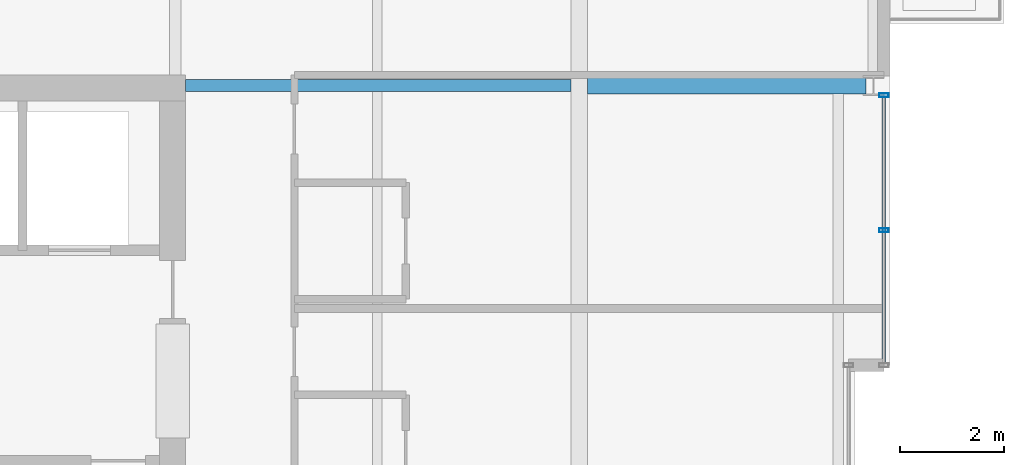
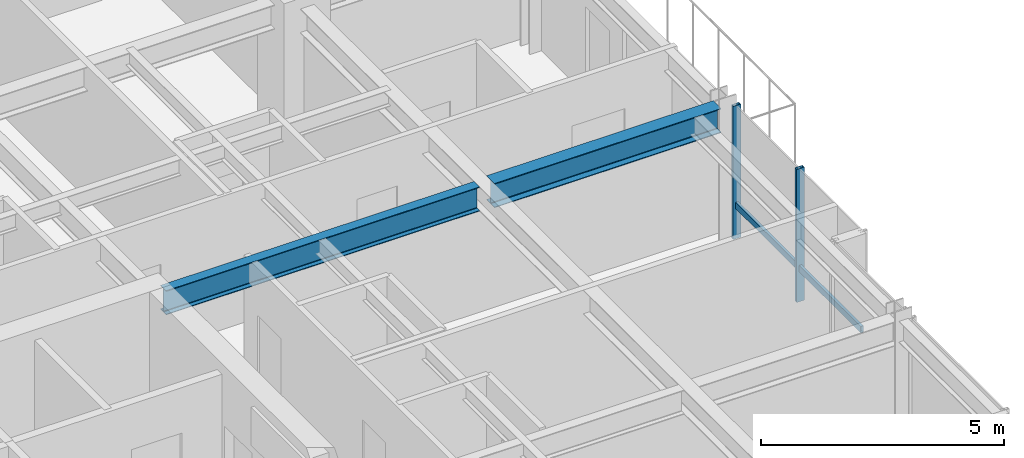
# One storey, part 23 of 34: 3 members, 2 beams, 1 element without a shape of its own.
"""IFC4 building model written with IfcOpenShell, lengths in metres."""

from ifc_helpers import new_model, si_unit, direction, frame, origin, origin_2d, place, context, subcontext, project, spatial, hollow_rectangle, i_section, extrude, material, layer, layer_set, material_profile, profile_set, type_object, element, aggregate, save


model = new_model("IFC4")

# Units and contexts
model_context = context("Model", 3, precision=1e-05, world=origin(), true_north=direction((0.0, 1.0)))
body_context = subcontext(model_context, "Body", "Model", "MODEL_VIEW")
ifc_project = project(units=[si_unit("LENGTHUNIT", "METRE"), si_unit("AREAUNIT", "SQUARE_METRE"), si_unit("VOLUMEUNIT", "CUBIC_METRE"), si_unit("PLANEANGLEUNIT", "RADIAN"), si_unit("MASSUNIT", "GRAM", prefix="KILO")], contexts=[model_context])

# Site, building, storey
site_placement = place(None, origin())
site = spatial("IfcSite", under=ifc_project, at=site_placement, CompositionType="ELEMENT")
building_placement = place(site_placement, origin())
building = spatial("IfcBuilding", under=site, at=building_placement, Name="Drelvath Grand Hotel", CompositionType="ELEMENT")
storey_placement = place(building_placement, frame((0.0, 0.0, 208.699951171875)))
storey = spatial("IfcBuildingStorey", under=building, at=storey_placement, Name="L54", CompositionType="ELEMENT", Elevation=208.699951171875)

# Curtain wall, members
ifc_material_1 = material(Name="Platinum-Mist Anodised Aluminium Frame", Category="aluminium")
ifc_layer = layer(ifc_material_1, 0.199951171875)
ifc_layer_set = layer_set([ifc_layer], Name="Platinum-Mist Anodised Aluminium Frame")
curtain_wall_type = type_object("IfcCurtainWallType", Name="Stick Curtain Wall CW-05 Platinum Mist High-Rise", PredefinedType="NOTDEFINED", material=ifc_layer_set)
curtain_wall_placement = place(storey_placement, origin())
curtain_wall = element("IfcCurtainWall", 1, at=curtain_wall_placement, inside=storey, type_object=curtain_wall_type, Name="L54 CW-05 Curtain Wall CW05-L54-EN1", PredefinedType="NOTDEFINED")
ifc_material_profile_1 = material_profile(ifc_material_1, hollow_rectangle(XDim=0.06494140625, YDim=0.159912109375, WallThickness=0.00390625, at=origin_2d()), Name="HSS160X65X4")
ifc_profile_set_1 = profile_set([ifc_material_profile_1], Name="Platinum-Mist Anodised Aluminium Frame")
member_type_1 = type_object("IfcMemberType", Name="Curtain Wall Horizontal Transom CW-05 HSS160X65X4", PredefinedType="USERDEFINED", material=ifc_profile_set_1)
member_1_placement = place(storey_placement, frame((22.080078125, 35.1748046875, 0.8349609375), z_axis=(0.0, -1.0, 0.0), x_axis=(1.0, 0.0, 0.0)))
member_1 = element("IfcMember", 2, at=member_1_placement, type_object=member_type_1, Name="CW05-L54-EN1 Sill Transom", ObjectType="TRANSOM", PredefinedType="USERDEFINED", context=body_context, shape_type="SweptSolid", body=[
    extrude(hollow_rectangle(XDim=0.06494140625, YDim=0.159912109375, WallThickness=0.00390625, at=origin_2d()), origin(), (0.0, 0.0, 1.0), 5.134765625),
])
ifc_material_profile_2 = material_profile(ifc_material_1, hollow_rectangle(XDim=0.074951171875, YDim=0.179931640625, WallThickness=0.0048828125, at=origin_2d()), Name="HSS180X75X5")
ifc_profile_set_2 = profile_set([ifc_material_profile_2], Name="Platinum-Mist Anodised Aluminium Frame")
member_type_2 = type_object("IfcMemberType", Name="Curtain Wall Vertical Mullion CW-05 HSS180X75X5", PredefinedType="MULLION", material=ifc_profile_set_2)
member_2_placement = place(storey_placement, frame((22.080078125, 35.214599609375, 0.0), z_axis=(0.0, 0.0, 1.0), x_axis=(0.0, 1.0, 0.0)))
member_2 = element("IfcMember", 3, at=member_2_placement, type_object=member_type_2, Name="CW05-L54-EN1 Mullion 1", PredefinedType="MULLION", context=body_context, shape_type="SweptSolid", body=[
    extrude(hollow_rectangle(XDim=0.074951171875, YDim=0.179931640625, WallThickness=0.0048828125, at=origin_2d()), origin(), (0.0, 0.0, 1.0), 3.340087890625),
])
member_3_placement = place(storey_placement, frame((22.080078125, 32.607421875, 0.0), z_axis=(0.0, 0.0, 1.0), x_axis=(0.0, 1.0, 0.0)))
member_3 = element("IfcMember", 4, at=member_3_placement, type_object=member_type_2, Name="CW05-L54-EN1 Mullion 2", PredefinedType="MULLION", context=body_context, shape_type="SweptSolid", body=[
    extrude(hollow_rectangle(XDim=0.074951171875, YDim=0.179931640625, WallThickness=0.0048828125, at=origin_2d()), origin(), (0.0, 0.0, 1.0), 3.340087890625),
])
aggregate(curtain_wall, [member_2, member_3, member_1])

# Beams
ifc_material_2 = material(Name="Steel ASTM A992 Gr 50", Category="steel")
ifc_material_profile_3 = material_profile(ifc_material_2, i_section(OverallWidth=0.323974609375, OverallDepth=0.611083984375, WebThickness=0.0126953125, FlangeThickness=0.01904296875, FilletRadius=0.02197265625, at=origin_2d()), Name="W24X104")
ifc_profile_set_3 = profile_set([ifc_material_profile_3], Name="Steel ASTM A992 Gr 50")
beam_type_1 = type_object("IfcBeamType", Name="Primary Floor Girder W24X104", PredefinedType="BEAM", material=ifc_profile_set_3)
beam_1_placement = place(storey_placement, frame((16.362060546875, 35.39990234375, 3.034423828125), z_axis=(1.0, 0.0, 0.0), x_axis=(0.0, 1.0, 0.0)))
element("IfcBeam", 5, at=beam_1_placement, inside=storey, type_object=beam_type_1, Name="L54 East Wing Girder F", PredefinedType="BEAM", context=body_context, shape_type="SweptSolid", body=[
    extrude(i_section(OverallWidth=0.323974609375, OverallDepth=0.611083984375, WebThickness=0.0126953125, FlangeThickness=0.01904296875, FilletRadius=0.02197265625, at=origin_2d()), origin(), (0.0, 0.0, 1.0), 5.3779296875),
])
ifc_material_profile_4 = material_profile(ifc_material_2, i_section(OverallWidth=0.228271484375, OverallDepth=0.607666015625, WebThickness=0.01123046875, FlangeThickness=0.017333984375, FilletRadius=0.02001953125, at=origin_2d()), Name="W24X76")
ifc_profile_set_4 = profile_set([ifc_material_profile_4], Name="Steel ASTM A992 Gr 50")
beam_type_2 = type_object("IfcBeamType", Name="Primary Floor Girder W24X76", PredefinedType="BEAM", material=ifc_profile_set_4)
beam_2_placement = place(storey_placement, frame((8.60009765625, 35.39990234375, 3.0361328125), z_axis=(1.0, 0.0, 0.0), x_axis=(0.0, 1.0, 0.0)))
element("IfcBeam", 6, at=beam_2_placement, inside=storey, type_object=beam_type_2, Name="L54 East Core Tie F", PredefinedType="BEAM", context=body_context, shape_type="SweptSolid", body=[
    extrude(i_section(OverallWidth=0.228271484375, OverallDepth=0.607666015625, WebThickness=0.01123046875, FlangeThickness=0.017333984375, FilletRadius=0.02001953125, at=origin_2d()), origin(), (0.0, 0.0, 1.0), 7.43798828125),
])

save(model, "model.ifc")
